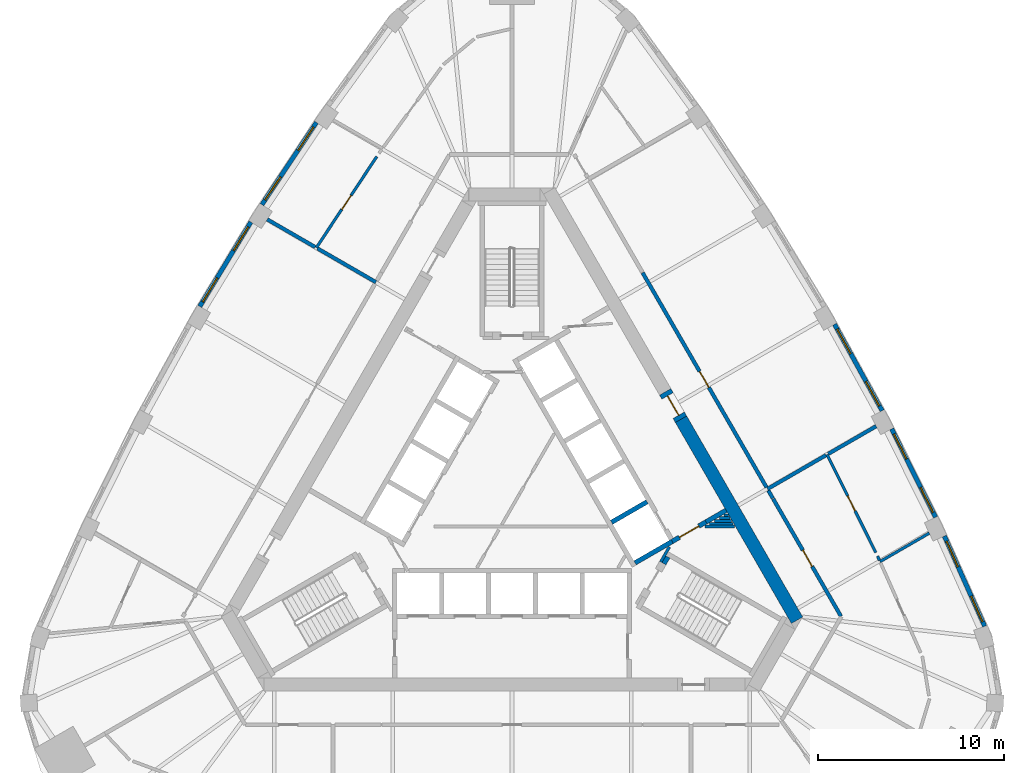
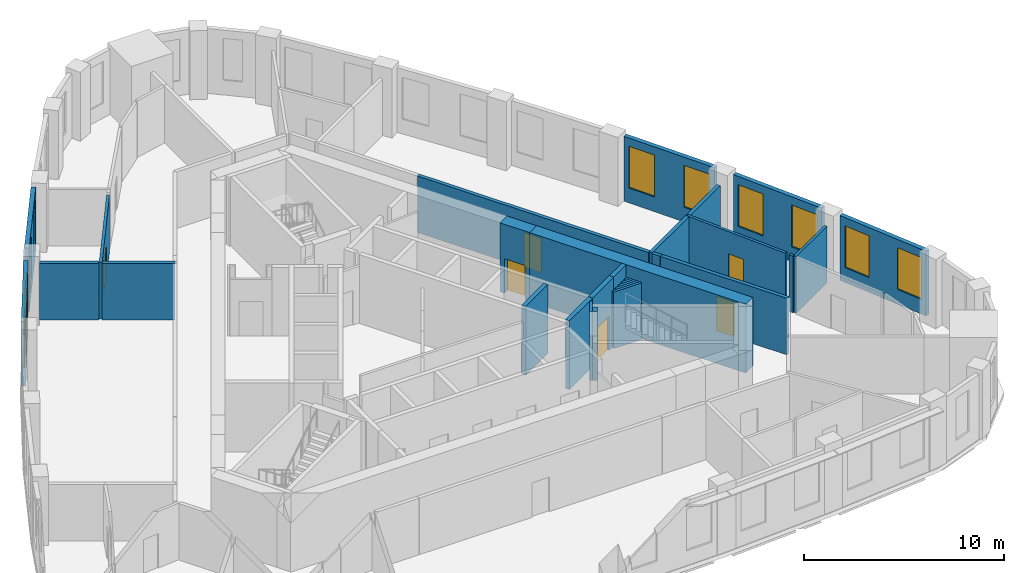
# One storey, part 7 of 10: 29 walls, 10 windows, 6 doors, 16 openings.
"""IFC4 building model written with IfcOpenShell, lengths in metres."""

from ifc_helpers import new_model, si_unit, direction, frame, frame_2d, origin, place, context, subcontext, project, spatial, rectangle, extrude, material, layer, layer_set, type_object, element, fill, save


model = new_model("IFC4")

# Units and contexts
model_context = context("Model", 3, precision=1e-05, world=origin(), true_north=direction((0.0, 1.0)))
body_context = subcontext(model_context, "Body", "Model", "MODEL_VIEW")
ifc_project = project(units=[si_unit("LENGTHUNIT", "METRE"), si_unit("AREAUNIT", "SQUARE_METRE"), si_unit("VOLUMEUNIT", "CUBIC_METRE"), si_unit("PLANEANGLEUNIT", "RADIAN"), si_unit("MASSUNIT", "GRAM", prefix="KILO")], contexts=[model_context])

# Site, building, storey
site_placement = place(None, origin())
site = spatial("IfcSite", under=ifc_project, at=site_placement, CompositionType="ELEMENT")
building_placement = place(site_placement, origin())
building = spatial("IfcBuilding", under=site, at=building_placement, Name="Mestral Congress Tower", CompositionType="ELEMENT")
storey_placement = place(building_placement, frame((0.0, 0.0, 243.60009765625)))
storey = spatial("IfcBuildingStorey", under=building, at=storey_placement, Name="L57", CompositionType="ELEMENT", Elevation=243.60009765625)

# Walls
ifc_material_1 = material(Name="Fire-rated board partition")
ifc_layer_1 = layer(ifc_material_1, 0.14990234375)
ifc_layer_set_1 = layer_set([ifc_layer_1], Name="Fire-rated board partition")
wall_type_1 = type_object("IfcWallType", Name="Core partition 150", PredefinedType="PARTITIONING", material=ifc_layer_set_1)
wall_1_placement = place(storey_placement, frame((10.3623046875, -1.5, 0.0), z_axis=(0.0, 0.0, 1.0), x_axis=(1.0, 0.0, 0.0)))
element("IfcWall", 1, at=wall_1_placement, inside=storey, type_object=wall_type_1, Name="L57 core wall", PredefinedType="PARTITIONING", context=body_context, shape_type="SweptSolid", body=[
    extrude(rectangle(XDim=1.60986328125, YDim=0.14990234375, at=frame_2d((0.804931640625, 0.0))), origin(), (0.0, 0.0, 1.0), 3.449951171875),
])
wall_2_placement = place(storey_placement, frame((10.6220703125, -1.35009765625, 0.0), z_axis=(0.0, 0.0, 1.0), x_axis=(1.0, 0.0, 0.0)))
element("IfcWall", 2, at=wall_2_placement, inside=storey, type_object=wall_type_1, Name="L57 core wall", PredefinedType="PARTITIONING", context=body_context, shape_type="SweptSolid", body=[
    extrude(rectangle(XDim=1.263427734375, YDim=0.14990234375, at=frame_2d((0.6318359375, 0.0))), origin(), (0.0, 0.0, 1.0), 3.449951171875),
])
wall_3_placement = place(storey_placement, frame((10.881591796875, -1.199951171875, 0.0), z_axis=(0.0, 0.0, 1.0), x_axis=(1.0, 0.0, 0.0)))
element("IfcWall", 3, at=wall_3_placement, inside=storey, type_object=wall_type_1, Name="L57 core wall", PredefinedType="PARTITIONING", context=body_context, shape_type="SweptSolid", body=[
    extrude(rectangle(XDim=0.91748046875, YDim=0.14990234375, at=frame_2d((0.458740234375, 0.0))), origin(), (0.0, 0.0, 1.0), 3.449951171875),
])
wall_4_placement = place(storey_placement, frame((11.71240234375, -1.050048828125, 0.0), z_axis=(0.0, 0.0, 1.0), x_axis=(-1.0, 0.0, 0.0)))
element("IfcWall", 4, at=wall_4_placement, inside=storey, type_object=wall_type_1, Name="L57 core wall", PredefinedType="PARTITIONING", context=body_context, shape_type="SweptSolid", body=[
    extrude(rectangle(XDim=0.57080078125, YDim=0.14990234375, at=frame_2d((0.285400390625, 0.0))), origin(), (0.0, 0.0, 1.0), 3.449951171875),
])
wall_5_placement = place(storey_placement, frame((11.4013671875, -0.89990234375, 0.0), z_axis=(0.0, 0.0, 1.0), x_axis=(1.0, 0.0, 0.0)))
element("IfcWall", 5, at=wall_5_placement, inside=storey, type_object=wall_type_1, Name="L57 core wall", PredefinedType="PARTITIONING", context=body_context, shape_type="SweptSolid", body=[
    extrude(rectangle(XDim=0.224365234375, YDim=0.14990234375, at=frame_2d((0.1123046875, 0.0))), origin(), (0.0, 0.0, 1.0), 3.449951171875),
])
ifc_material_2 = material(Name="Concrete C60/75", Category="concrete")
ifc_layer_2 = layer(ifc_material_2, 0.699951171875)
ifc_layer_set_2 = layer_set([ifc_layer_2], Name="Concrete C60/75")
wall_type_2 = type_object("IfcWallType", Name="Core wall RC 700", PredefinedType="SOLIDWALL", material=ifc_layer_set_2)
wall_6_placement = place(storey_placement, frame((9.085205078125, 4.263916015625, 0.0), z_axis=(0.0, 0.0, 1.0), x_axis=(0.499998082512, -0.866026510844, 0.0)))
element("IfcWall", 6, at=wall_6_placement, inside=storey, type_object=wall_type_2, Name="L57 core wall", PredefinedType="SOLIDWALL", context=body_context, shape_type="SweptSolid", body=[
    extrude(rectangle(XDim=12.47216796875, YDim=0.699951171875, at=frame_2d((6.236083984375, 0.0))), origin(), (0.0, 0.0, 1.0), 4.199951171875),
])

# Wall, opening, door
wall_7_placement = place(storey_placement, frame((8.2353515625, 5.736083984375, 0.0), z_axis=(0.0, 0.0, 1.0), x_axis=(0.499954529098, -0.86605165483, 0.0)))
wall_7 = element("IfcWall", 7, at=wall_7_placement, inside=storey, type_object=wall_type_2, Name="L57 door wall", PredefinedType="SOLIDWALL", context=body_context, shape_type="SweptSolid", body=[
    extrude(rectangle(XDim=1.699951171875, YDim=0.699951171875, at=frame_2d((0.85009765625, 0.0))), origin(), (0.0, 0.0, 1.0), 4.199951171875),
])
opening_1_placement = place(wall_7_placement, frame((0.25, 0.0, 0.0)))
opening_1 = element("IfcOpeningElement", 8, at=opening_1_placement, cuts=wall_7, Name="Opening XDL", PredefinedType="OPENING", context=body_context, shape_type="SweptSolid", body=[
    extrude(rectangle(XDim=1.199951171875, YDim=2.10009765625, at=frame_2d((0.60009765625, 1.050048828125))), frame((0.0, 0.35986328125, 0.0), z_axis=(0.0, -1.0, 0.0), x_axis=(1.0, 0.0, 0.0)), (0.0, 0.0, 1.0), 0.719970703125),
])
ifc_material_3 = material(Name="Fire-rated steel door set", Category="steel")
door_type_1 = type_object("IfcDoorType", Name="Core door XD 1200x2100", OperationType="SINGLE_SWING_LEFT", PredefinedType="DOOR", material=ifc_material_3)
door_1_placement = place(opening_1_placement, origin())
door_1 = element("IfcDoor", 9, at=door_1_placement, inside=storey, type_object=door_type_1, Name="Door XDL", OperationType="SINGLE_SWING_LEFT", OverallHeight=2.10009765625, OverallWidth=1.199951171875, PredefinedType="DOOR", context=body_context, shape_type="SweptSolid", body=[
    extrude(rectangle(XDim=1.199951171875, YDim=2.10009765625, at=frame_2d((0.60009765625, 1.050048828125))), frame((0.0, 0.02490234375, 0.0), z_axis=(0.0, -1.0, 0.0), x_axis=(1.0, 0.0, 0.0)), (0.0, 0.0, 1.0), 0.050048828125),
])
fill(opening_1, door_1)

# Wall, openings, windows
ifc_material_4 = material(Name="Precast concrete C40/50 with limestone facing", Category="masonry")
ifc_layer_3 = layer(ifc_material_4, 0.239990234375)
ifc_layer_set_3 = layer_set([ifc_layer_3], Name="Precast concrete C40/50 with limestone facing")
wall_type_3 = type_object("IfcWallType", Name="Facade stone wall 240", PredefinedType="SOLIDWALL", material=ifc_layer_set_3)
wall_8_placement = place(storey_placement, frame((25.405029296875, -6.86083984375, 0.0), z_axis=(0.0, 0.0, 1.0), x_axis=(-0.407579651789, 0.913169659728, 0.0)))
wall_8 = element("IfcWall", 10, at=wall_8_placement, inside=storey, type_object=wall_type_3, Name="Facade wall F1-00", PredefinedType="SOLIDWALL", context=body_context, shape_type="SweptSolid", body=[
    extrude(rectangle(XDim=5.310791015625, YDim=0.239990234375, at=frame_2d((2.6552734375, 0.0))), origin(), (0.0, 0.0, 1.0), 3.949951171875),
])
opening_2_placement = place(wall_8_placement, frame((0.271484375, 0.0, 0.89990234375)))
opening_2 = element("IfcOpeningElement", 11, at=opening_2_placement, cuts=wall_8, Name="Opening W4", PredefinedType="OPENING", context=body_context, shape_type="SweptSolid", body=[
    extrude(rectangle(XDim=1.5, YDim=2.550048828125, at=frame_2d((0.75, 1.27490234375))), frame((0.0, 0.1298828125, 0.0), z_axis=(0.0, -1.0, 0.0), x_axis=(1.0, 0.0, 0.0)), (0.0, 0.0, 1.0), 0.260009765625),
])
opening_3_placement = place(wall_8_placement, frame((3.50439453125, 0.0, 0.89990234375)))
opening_3 = element("IfcOpeningElement", 12, at=opening_3_placement, cuts=wall_8, Name="Opening W4", PredefinedType="OPENING", context=body_context, shape_type="SweptSolid", body=[
    extrude(rectangle(XDim=1.5, YDim=2.550048828125, at=frame_2d((0.75, 1.27490234375))), frame((0.0, 0.1298828125, 0.0), z_axis=(0.0, -1.0, 0.0), x_axis=(1.0, 0.0, 0.0)), (0.0, 0.0, 1.0), 0.260009765625),
])
ifc_material_5 = material(Name="Clear low-emissivity double glazing", Category="glass")
window_type = type_object("IfcWindowType", Name="Facade punched window 1500 x 2550 sill 900", PartitioningType="SINGLE_PANEL", PredefinedType="WINDOW", material=ifc_material_5)
window_1_placement = place(opening_2_placement, origin())
window_1 = element("IfcWindow", 13, at=window_1_placement, inside=storey, type_object=window_type, Name="Window F1-00a", OverallHeight=2.550048828125, OverallWidth=1.5, PartitioningType="SINGLE_PANEL", PredefinedType="WINDOW", context=body_context, shape_type="SweptSolid", body=[
    extrude(rectangle(XDim=1.5, YDim=2.550048828125, at=frame_2d((0.75, 1.27490234375))), frame((0.0, 0.0400390625, 0.0), z_axis=(0.0, -1.0, 0.0), x_axis=(1.0, 0.0, 0.0)), (0.0, 0.0, 1.0), 0.06005859375),
])
fill(opening_2, window_1)
window_2_placement = place(opening_3_placement, origin())
window_2 = element("IfcWindow", 14, at=window_2_placement, inside=storey, type_object=window_type, Name="Window F1-00b", OverallHeight=2.550048828125, OverallWidth=1.5, PartitioningType="SINGLE_PANEL", PredefinedType="WINDOW", context=body_context, shape_type="SweptSolid", body=[
    extrude(rectangle(XDim=1.5, YDim=2.550048828125, at=frame_2d((0.75, 1.27490234375))), frame((0.0, 0.0400390625, 0.0), z_axis=(0.0, -1.0, 0.0), x_axis=(1.0, 0.0, 0.0)), (0.0, 0.0, 1.0), 0.06005859375),
])
fill(opening_3, window_2)

wall_9_placement = place(storey_placement, frame((22.765869140625, -1.0048828125, 0.0), z_axis=(0.0, 0.0, 1.0), x_axis=(-0.445129582031, 0.895466166419, 0.0)))
wall_9 = element("IfcWall", 15, at=wall_9_placement, inside=storey, type_object=wall_type_3, Name="Facade wall F1-01", PredefinedType="SOLIDWALL", context=body_context, shape_type="SweptSolid", body=[
    extrude(rectangle(XDim=5.29833984375, YDim=0.239990234375, at=frame_2d((2.649169921875, 0.0))), origin(), (0.0, 0.0, 1.0), 3.949951171875),
])
opening_4_placement = place(wall_9_placement, frame((0.294677734375, 0.0, 0.89990234375)))
opening_4 = element("IfcOpeningElement", 16, at=opening_4_placement, cuts=wall_9, Name="Opening W4", PredefinedType="OPENING", context=body_context, shape_type="SweptSolid", body=[
    extrude(rectangle(XDim=1.5, YDim=2.550048828125, at=frame_2d((0.75, 1.27490234375))), frame((0.0, 0.1298828125, 0.0), z_axis=(0.0, -1.0, 0.0), x_axis=(1.0, 0.0, 0.0)), (0.0, 0.0, 1.0), 0.260009765625),
])
opening_5_placement = place(wall_9_placement, frame((3.503662109375, 0.0, 0.89990234375)))
opening_5 = element("IfcOpeningElement", 17, at=opening_5_placement, cuts=wall_9, Name="Opening W4", PredefinedType="OPENING", context=body_context, shape_type="SweptSolid", body=[
    extrude(rectangle(XDim=1.5, YDim=2.550048828125, at=frame_2d((0.75, 1.27490234375))), frame((0.0, 0.1298828125, 0.0), z_axis=(0.0, -1.0, 0.0), x_axis=(1.0, 0.0, 0.0)), (0.0, 0.0, 1.0), 0.260009765625),
])
window_3_placement = place(opening_4_placement, origin())
window_3 = element("IfcWindow", 18, at=window_3_placement, inside=storey, type_object=window_type, Name="Window F1-01a", OverallHeight=2.550048828125, OverallWidth=1.5, PartitioningType="SINGLE_PANEL", PredefinedType="WINDOW", context=body_context, shape_type="SweptSolid", body=[
    extrude(rectangle(XDim=1.5, YDim=2.550048828125, at=frame_2d((0.75, 1.27490234375))), frame((0.0, 0.0400390625, 0.0), z_axis=(0.0, -1.0, 0.0), x_axis=(1.0, 0.0, 0.0)), (0.0, 0.0, 1.0), 0.06005859375),
])
fill(opening_4, window_3)
window_4_placement = place(opening_5_placement, origin())
window_4 = element("IfcWindow", 19, at=window_4_placement, inside=storey, type_object=window_type, Name="Window F1-01b", OverallHeight=2.550048828125, OverallWidth=1.5, PartitioningType="SINGLE_PANEL", PredefinedType="WINDOW", context=body_context, shape_type="SweptSolid", body=[
    extrude(rectangle(XDim=1.5, YDim=2.550048828125, at=frame_2d((0.75, 1.27490234375))), frame((0.0, 0.0400390625, 0.0), z_axis=(0.0, -1.0, 0.0), x_axis=(1.0, 0.0, 0.0)), (0.0, 0.0, 1.0), 0.06005859375),
])
fill(opening_5, window_4)

wall_10_placement = place(storey_placement, frame((19.8916015625, 4.725341796875, 0.0), z_axis=(0.0, 0.0, 1.0), x_axis=(-0.481925825015, 0.876212017256, 0.0)))
wall_10 = element("IfcWall", 20, at=wall_10_placement, inside=storey, type_object=wall_type_3, Name="Facade wall F1-02", PredefinedType="SOLIDWALL", context=body_context, shape_type="SweptSolid", body=[
    extrude(rectangle(XDim=5.298583984375, YDim=0.239990234375, at=frame_2d((2.6494140625, 0.0))), origin(), (0.0, 0.0, 1.0), 3.949951171875),
])
opening_6_placement = place(wall_10_placement, frame((0.294677734375, 0.0, 0.89990234375)))
opening_6 = element("IfcOpeningElement", 21, at=opening_6_placement, cuts=wall_10, Name="Opening W4", PredefinedType="OPENING", context=body_context, shape_type="SweptSolid", body=[
    extrude(rectangle(XDim=1.5, YDim=2.550048828125, at=frame_2d((0.75, 1.27490234375))), frame((0.0, 0.1298828125, 0.0), z_axis=(0.0, -1.0, 0.0), x_axis=(1.0, 0.0, 0.0)), (0.0, 0.0, 1.0), 0.260009765625),
])
opening_7_placement = place(wall_10_placement, frame((3.503662109375, 0.0, 0.89990234375)))
opening_7 = element("IfcOpeningElement", 22, at=opening_7_placement, cuts=wall_10, Name="Opening W4", PredefinedType="OPENING", context=body_context, shape_type="SweptSolid", body=[
    extrude(rectangle(XDim=1.5, YDim=2.550048828125, at=frame_2d((0.75, 1.27490234375))), frame((0.0, 0.1298828125, 0.0), z_axis=(0.0, -1.0, 0.0), x_axis=(1.0, 0.0, 0.0)), (0.0, 0.0, 1.0), 0.260009765625),
])
window_5_placement = place(opening_6_placement, origin())
window_5 = element("IfcWindow", 23, at=window_5_placement, inside=storey, type_object=window_type, Name="Window F1-02a", OverallHeight=2.550048828125, OverallWidth=1.5, PartitioningType="SINGLE_PANEL", PredefinedType="WINDOW", context=body_context, shape_type="SweptSolid", body=[
    extrude(rectangle(XDim=1.5, YDim=2.550048828125, at=frame_2d((0.75, 1.27490234375))), frame((0.0, 0.0400390625, 0.0), z_axis=(0.0, -1.0, 0.0), x_axis=(1.0, 0.0, 0.0)), (0.0, 0.0, 1.0), 0.06005859375),
])
fill(opening_6, window_5)
window_6_placement = place(opening_7_placement, origin())
window_6 = element("IfcWindow", 24, at=window_6_placement, inside=storey, type_object=window_type, Name="Window F1-02b", OverallHeight=2.550048828125, OverallWidth=1.5, PartitioningType="SINGLE_PANEL", PredefinedType="WINDOW", context=body_context, shape_type="SweptSolid", body=[
    extrude(rectangle(XDim=1.5, YDim=2.550048828125, at=frame_2d((0.75, 1.27490234375))), frame((0.0, 0.0400390625, 0.0), z_axis=(0.0, -1.0, 0.0), x_axis=(1.0, 0.0, 0.0)), (0.0, 0.0, 1.0), 0.06005859375),
])
fill(opening_7, window_6)

wall_11_placement = place(storey_placement, frame((-10.5126953125, 20.21826171875, 0.0), z_axis=(0.0, 0.0, 1.0), x_axis=(-0.552901821755, -0.833246407433, 0.0)))
wall_11 = element("IfcWall", 25, at=wall_11_placement, inside=storey, type_object=wall_type_3, Name="Facade wall F2-01", PredefinedType="SOLIDWALL", context=body_context, shape_type="SweptSolid", body=[
    extrude(rectangle(XDim=5.29833984375, YDim=0.239990234375, at=frame_2d((2.649169921875, 0.0))), origin(), (0.0, 0.0, 1.0), 3.949951171875),
])
opening_8_placement = place(wall_11_placement, frame((0.29443359375, 0.0, 0.89990234375)))
opening_8 = element("IfcOpeningElement", 26, at=opening_8_placement, cuts=wall_11, Name="Opening W4", PredefinedType="OPENING", context=body_context, shape_type="SweptSolid", body=[
    extrude(rectangle(XDim=1.5, YDim=2.550048828125, at=frame_2d((0.75, 1.27490234375))), frame((0.0, 0.1298828125, 0.0), z_axis=(0.0, -1.0, 0.0), x_axis=(1.0, 0.0, 0.0)), (0.0, 0.0, 1.0), 0.260009765625),
])
opening_9_placement = place(wall_11_placement, frame((3.503662109375, 0.0, 0.89990234375)))
opening_9 = element("IfcOpeningElement", 27, at=opening_9_placement, cuts=wall_11, Name="Opening W4", PredefinedType="OPENING", context=body_context, shape_type="SweptSolid", body=[
    extrude(rectangle(XDim=1.5, YDim=2.550048828125, at=frame_2d((0.75, 1.27490234375))), frame((0.0, 0.1298828125, 0.0), z_axis=(0.0, -1.0, 0.0), x_axis=(1.0, 0.0, 0.0)), (0.0, 0.0, 1.0), 0.260009765625),
])
window_7_placement = place(opening_8_placement, origin())
window_7 = element("IfcWindow", 28, at=window_7_placement, inside=storey, type_object=window_type, Name="Window F2-01a", OverallHeight=2.550048828125, OverallWidth=1.5, PartitioningType="SINGLE_PANEL", PredefinedType="WINDOW", context=body_context, shape_type="SweptSolid", body=[
    extrude(rectangle(XDim=1.5, YDim=2.550048828125, at=frame_2d((0.75, 1.27490234375))), frame((0.0, 0.0400390625, 0.0), z_axis=(0.0, -1.0, 0.0), x_axis=(1.0, 0.0, 0.0)), (0.0, 0.0, 1.0), 0.06005859375),
])
fill(opening_8, window_7)
window_8_placement = place(opening_9_placement, origin())
window_8 = element("IfcWindow", 29, at=window_8_placement, inside=storey, type_object=window_type, Name="Window F2-01b", OverallHeight=2.550048828125, OverallWidth=1.5, PartitioningType="SINGLE_PANEL", PredefinedType="WINDOW", context=body_context, shape_type="SweptSolid", body=[
    extrude(rectangle(XDim=1.5, YDim=2.550048828125, at=frame_2d((0.75, 1.27490234375))), frame((0.0, 0.0400390625, 0.0), z_axis=(0.0, -1.0, 0.0), x_axis=(1.0, 0.0, 0.0)), (0.0, 0.0, 1.0), 0.06005859375),
])
fill(opening_9, window_8)

wall_12_placement = place(storey_placement, frame((-14.0380859375, 14.86376953125, 0.0), z_axis=(0.0, 0.0, 1.0), x_axis=(-0.517846166225, -0.855473756538, 0.0)))
wall_12 = element("IfcWall", 30, at=wall_12_placement, inside=storey, type_object=wall_type_3, Name="Facade wall F2-02", PredefinedType="SOLIDWALL", context=body_context, shape_type="SweptSolid", body=[
    extrude(rectangle(XDim=5.298095703125, YDim=0.239990234375, at=frame_2d((2.64892578125, 0.0))), origin(), (0.0, 0.0, 1.0), 3.949951171875),
])
opening_10_placement = place(wall_12_placement, frame((0.29443359375, 0.0, 0.89990234375)))
opening_10 = element("IfcOpeningElement", 31, at=opening_10_placement, cuts=wall_12, Name="Opening W4", PredefinedType="OPENING", context=body_context, shape_type="SweptSolid", body=[
    extrude(rectangle(XDim=1.5, YDim=2.550048828125, at=frame_2d((0.75, 1.27490234375))), frame((0.0, 0.1298828125, 0.0), z_axis=(0.0, -1.0, 0.0), x_axis=(1.0, 0.0, 0.0)), (0.0, 0.0, 1.0), 0.260009765625),
])
opening_11_placement = place(wall_12_placement, frame((3.503662109375, 0.0, 0.89990234375)))
opening_11 = element("IfcOpeningElement", 32, at=opening_11_placement, cuts=wall_12, Name="Opening W4", PredefinedType="OPENING", context=body_context, shape_type="SweptSolid", body=[
    extrude(rectangle(XDim=1.5, YDim=2.550048828125, at=frame_2d((0.75, 1.27490234375))), frame((0.0, 0.1298828125, 0.0), z_axis=(0.0, -1.0, 0.0), x_axis=(1.0, 0.0, 0.0)), (0.0, 0.0, 1.0), 0.260009765625),
])
window_9_placement = place(opening_10_placement, origin())
window_9 = element("IfcWindow", 33, at=window_9_placement, inside=storey, type_object=window_type, Name="Window F2-02a", OverallHeight=2.550048828125, OverallWidth=1.5, PartitioningType="SINGLE_PANEL", PredefinedType="WINDOW", context=body_context, shape_type="SweptSolid", body=[
    extrude(rectangle(XDim=1.5, YDim=2.550048828125, at=frame_2d((0.75, 1.27490234375))), frame((0.0, 0.0400390625, 0.0), z_axis=(0.0, -1.0, 0.0), x_axis=(1.0, 0.0, 0.0)), (0.0, 0.0, 1.0), 0.06005859375),
])
fill(opening_10, window_9)
window_10_placement = place(opening_11_placement, origin())
window_10 = element("IfcWindow", 34, at=window_10_placement, inside=storey, type_object=window_type, Name="Window F2-02b", OverallHeight=2.550048828125, OverallWidth=1.5, PartitioningType="SINGLE_PANEL", PredefinedType="WINDOW", context=body_context, shape_type="SweptSolid", body=[
    extrude(rectangle(XDim=1.5, YDim=2.550048828125, at=frame_2d((0.75, 1.27490234375))), frame((0.0, 0.0400390625, 0.0), z_axis=(0.0, -1.0, 0.0), x_axis=(1.0, 0.0, 0.0)), (0.0, 0.0, 1.0), 0.06005859375),
])
fill(opening_11, window_10)

# Walls
ifc_material_6 = material(Name="Plasterboard partition on steel studs", Category="steel")
ifc_layer_4 = layer(ifc_material_6, 0.14990234375)
ifc_layer_set_4 = layer_set([ifc_layer_4], Name="Plasterboard partition on steel studs")
wall_type_4 = type_object("IfcWallType", Name="Office partition 150", PredefinedType="PARTITIONING", material=ifc_layer_set_4)
wall_13_placement = place(storey_placement, frame((19.7802734375, -3.385986328125, 0.0), z_axis=(0.0, 0.0, 1.0), x_axis=(0.866063280451, 0.49993438995, 0.0)))
element("IfcWall", 35, at=wall_13_placement, inside=storey, type_object=wall_type_4, Name="Partition", PredefinedType="PARTITIONING", context=body_context, shape_type="SweptSolid", body=[
    extrude(rectangle(XDim=3.05810546875, YDim=0.14990234375, at=frame_2d((1.529052734375, 0.0))), origin(), (0.0, 0.0, 1.0), 3.449951171875),
])
wall_14_placement = place(storey_placement, frame((19.74951171875, -3.3173828125, 0.0), z_axis=(0.0, 0.0, 1.0), x_axis=(-0.406774979688, 0.913528388119, 0.0)))
element("IfcWall", 36, at=wall_14_placement, inside=storey, type_object=wall_type_4, Name="Partition", PredefinedType="PARTITIONING", context=body_context, shape_type="SweptSolid", body=[
    extrude(rectangle(XDim=0.2490234375, YDim=0.14990234375, at=frame_2d((0.12451171875, 0.0))), origin(), (0.0, 0.0, 1.0), 3.449951171875),
])

# Wall, opening, door
wall_15_placement = place(storey_placement, frame((16.934814453125, 2.367919921875, 0.0), z_axis=(0.0, 0.0, 1.0), x_axis=(0.445153322039, -0.895454365045, 0.0)))
wall_15 = element("IfcWall", 37, at=wall_15_placement, inside=storey, type_object=wall_type_4, Name="Partition", PredefinedType="PARTITIONING", context=body_context, shape_type="SweptSolid", body=[
    extrude(rectangle(XDim=5.880859375, YDim=0.14990234375, at=frame_2d((2.9404296875, 0.0))), origin(), (0.0, 0.0, 1.0), 3.449951171875),
])
opening_12_placement = place(wall_15_placement, frame((2.480712890625, 0.0, 0.0)))
opening_12 = element("IfcOpeningElement", 38, at=opening_12_placement, cuts=wall_15, Name="Opening O09-006", PredefinedType="OPENING", context=body_context, shape_type="SweptSolid", body=[
    extrude(rectangle(XDim=0.89990234375, YDim=2.10009765625, at=frame_2d((0.449951171875, 1.050048828125))), frame((0.0, 0.0849609375, 0.0), z_axis=(0.0, -1.0, 0.0), x_axis=(1.0, 0.0, 0.0)), (0.0, 0.0, 1.0), 0.169921875),
])
ifc_material_7 = material(Name="Timber door set", Category="wood")
door_type_2 = type_object("IfcDoorType", Name="Office door 900x2100", OperationType="SINGLE_SWING_LEFT", PredefinedType="DOOR", material=ifc_material_7)
door_2_placement = place(opening_12_placement, origin())
door_2 = element("IfcDoor", 39, at=door_2_placement, inside=storey, type_object=door_type_2, Name="Door O09-006", OperationType="SINGLE_SWING_LEFT", OverallHeight=2.10009765625, OverallWidth=0.89990234375, PredefinedType="DOOR", context=body_context, shape_type="SweptSolid", body=[
    extrude(rectangle(XDim=0.89990234375, YDim=2.10009765625, at=frame_2d((0.449951171875, 1.050048828125))), frame((0.0, 0.02490234375, 0.0), z_axis=(0.0, -1.0, 0.0), x_axis=(1.0, 0.0, 0.0)), (0.0, 0.0, 1.0), 0.050048828125),
])
fill(opening_12, door_2)

wall_16_placement = place(storey_placement, frame((-10.51806640625, 13.482177734375, 0.0), z_axis=(0.0, 0.0, 1.0), x_axis=(0.552916907591, 0.833236397008, 0.0)))
wall_16 = element("IfcWall", 40, at=wall_16_placement, inside=storey, type_object=wall_type_4, Name="Partition", PredefinedType="PARTITIONING", context=body_context, shape_type="SweptSolid", body=[
    extrude(rectangle(XDim=5.880615234375, YDim=0.14990234375, at=frame_2d((2.9404296875, 0.0))), origin(), (0.0, 0.0, 1.0), 3.449951171875),
])
opening_13_placement = place(wall_16_placement, frame((2.480712890625, 0.0, 0.0)))
opening_13 = element("IfcOpeningElement", 41, at=opening_13_placement, cuts=wall_16, Name="Opening O09-013", PredefinedType="OPENING", context=body_context, shape_type="SweptSolid", body=[
    extrude(rectangle(XDim=0.89990234375, YDim=2.10009765625, at=frame_2d((0.449951171875, 1.050048828125))), frame((0.0, 0.0849609375, 0.0), z_axis=(0.0, -1.0, 0.0), x_axis=(1.0, 0.0, 0.0)), (0.0, 0.0, 1.0), 0.169921875),
])
door_3_placement = place(opening_13_placement, origin())
door_3 = element("IfcDoor", 42, at=door_3_placement, inside=storey, type_object=door_type_2, Name="Door O09-013", OperationType="SINGLE_SWING_LEFT", OverallHeight=2.10009765625, OverallWidth=0.89990234375, PredefinedType="DOOR", context=body_context, shape_type="SweptSolid", body=[
    extrude(rectangle(XDim=0.89990234375, YDim=2.10009765625, at=frame_2d((0.449951171875, 1.050048828125))), frame((0.0, 0.02490234375, 0.0), z_axis=(0.0, -1.0, 0.0), x_axis=(1.0, 0.0, 0.0)), (0.0, 0.0, 1.0), 0.050048828125),
])
fill(opening_13, door_3)

# Walls
ifc_material_8 = material(Name="Dense masonry wall, plastered", Category="masonry")
ifc_layer_5 = layer(ifc_material_8, 0.199951171875)
ifc_layer_set_5 = layer_set([ifc_layer_5], Name="Dense masonry wall, plastered")
wall_type_5 = type_object("IfcWallType", Name="Office tenancy wall 200", PredefinedType="PARTITIONING", material=ifc_layer_set_5)
wall_17_placement = place(storey_placement, frame((17.0, 2.405517578125, 0.0), z_axis=(0.0, 0.0, 1.0), x_axis=(0.86605561342, 0.499947671726, 0.0)))
element("IfcWall", 43, at=wall_17_placement, inside=storey, type_object=wall_type_5, Name="Tenancy wall", PredefinedType="PARTITIONING", context=body_context, shape_type="SweptSolid", body=[
    extrude(rectangle(XDim=2.971435546875, YDim=0.199951171875, at=frame_2d((1.48583984375, 0.0))), origin(), (0.0, 0.0, 1.0), 3.449951171875),
])
wall_18_placement = place(storey_placement, frame((13.730712890625, 0.517822265625, 0.0), z_axis=(0.0, 0.0, 1.0), x_axis=(0.8660128559, 0.500021732944, 0.0)))
element("IfcWall", 44, at=wall_18_placement, inside=storey, type_object=wall_type_5, Name="Tenancy wall", PredefinedType="PARTITIONING", context=body_context, shape_type="SweptSolid", body=[
    extrude(rectangle(XDim=3.624755859375, YDim=0.199951171875, at=frame_2d((1.8125, 0.0))), origin(), (0.0, 0.0, 1.0), 3.449951171875),
])
wall_19_placement = place(storey_placement, frame((14.022216796875, 0.0126953125, 0.0), z_axis=(0.0, 0.0, 1.0), x_axis=(-0.500159754115, 0.865933150054, 0.0)))
element("IfcWall", 45, at=wall_19_placement, inside=storey, type_object=wall_type_5, Name="Tenancy wall", PredefinedType="PARTITIONING", context=body_context, shape_type="SweptSolid", body=[
    extrude(rectangle(XDim=0.483154296875, YDim=0.199951171875, at=frame_2d((0.24169921875, 0.0))), origin(), (0.0, 0.0, 1.0), 3.449951171875),
])

# Wall, opening, door
wall_20_placement = place(storey_placement, frame((17.680908203125, -6.323974609375, 0.0), z_axis=(0.0, 0.0, 1.0), x_axis=(-0.50002695829, 0.866009838849, 0.0)))
wall_20 = element("IfcWall", 46, at=wall_20_placement, inside=storey, type_object=wall_type_5, Name="Tenancy wall", PredefinedType="PARTITIONING", context=body_context, shape_type="SweptSolid", body=[
    extrude(rectangle(XDim=7.287109375, YDim=0.199951171875, at=frame_2d((3.6435546875, 0.0))), origin(), (0.0, 0.0, 1.0), 3.449951171875),
])
opening_14_placement = place(wall_20_placement, frame((3.10009765625, 0.0, 0.0)))
opening_14 = element("IfcOpeningElement", 47, at=opening_14_placement, cuts=wall_20, Name="Opening O09-007", PredefinedType="OPENING", context=body_context, shape_type="SweptSolid", body=[
    extrude(rectangle(XDim=1.0, YDim=2.10009765625, at=frame_2d((0.5, 1.050048828125))), frame((0.0, 0.10986328125, 0.0), z_axis=(0.0, -1.0, 0.0), x_axis=(1.0, 0.0, 0.0)), (0.0, 0.0, 1.0), 0.219970703125),
])
ifc_material_9 = material(Name="Fire-rated timber door set", Category="wood")
door_type_3 = type_object("IfcDoorType", Name="Office tenancy entrance door 1000x2100", OperationType="SINGLE_SWING_LEFT", PredefinedType="DOOR", material=ifc_material_9)
door_4_placement = place(opening_14_placement, origin())
door_4 = element("IfcDoor", 48, at=door_4_placement, inside=storey, type_object=door_type_3, Name="Door O09-007", OperationType="SINGLE_SWING_LEFT", OverallHeight=2.10009765625, OverallWidth=1.0, PredefinedType="DOOR", context=body_context, shape_type="SweptSolid", body=[
    extrude(rectangle(XDim=1.0, YDim=2.10009765625, at=frame_2d((0.5, 1.050048828125))), frame((0.0, 0.02490234375, 0.0), z_axis=(0.0, -1.0, 0.0), x_axis=(1.0, 0.0, 0.0)), (0.0, 0.0, 1.0), 0.050048828125),
])
fill(opening_14, door_4)

wall_21_placement = place(storey_placement, frame((13.6806640625, 0.6044921875, 0.0), z_axis=(0.0, 0.0, 1.0), x_axis=(-0.500001759768, 0.86602438778, 0.0)))
wall_21 = element("IfcWall", 49, at=wall_21_placement, inside=storey, type_object=wall_type_5, Name="Tenancy wall", PredefinedType="PARTITIONING", context=body_context, shape_type="SweptSolid", body=[
    extrude(rectangle(XDim=13.31689453125, YDim=0.199951171875, at=frame_2d((6.658447265625, 0.0))), origin(), (0.0, 0.0, 1.0), 3.449951171875),
])
opening_15_placement = place(wall_21_placement, frame((6.199951171875, 0.0, 0.0)))
opening_15 = element("IfcOpeningElement", 50, at=opening_15_placement, cuts=wall_21, Name="Opening O09-008", PredefinedType="OPENING", context=body_context, shape_type="SweptSolid", body=[
    extrude(rectangle(XDim=1.0, YDim=2.10009765625, at=frame_2d((0.5, 1.050048828125))), frame((0.0, 0.10986328125, 0.0), z_axis=(0.0, -1.0, 0.0), x_axis=(1.0, 0.0, 0.0)), (0.0, 0.0, 1.0), 0.219970703125),
])
door_5_placement = place(opening_15_placement, origin())
door_5 = element("IfcDoor", 51, at=door_5_placement, inside=storey, type_object=door_type_3, Name="Door O09-008", OperationType="SINGLE_SWING_RIGHT", OverallHeight=2.10009765625, OverallWidth=1.0, PredefinedType="DOOR", context=body_context, shape_type="SweptSolid", body=[
    extrude(rectangle(XDim=1.0, YDim=2.10009765625, at=frame_2d((0.5, 1.050048828125))), frame((0.0, 0.02490234375, 0.0), z_axis=(0.0, -1.0, 0.0), x_axis=(1.0, 0.0, 0.0)), (0.0, 0.0, 1.0), 0.050048828125),
])
fill(opening_15, door_5)

# Walls
wall_22_placement = place(storey_placement, frame((-10.583251953125, 13.519775390625, 0.0), z_axis=(0.0, 0.0, 1.0), x_axis=(-0.865999496279, 0.500044870432, 0.0)))
element("IfcWall", 52, at=wall_22_placement, inside=storey, type_object=wall_type_5, Name="Tenancy wall", PredefinedType="PARTITIONING", context=body_context, shape_type="SweptSolid", body=[
    extrude(rectangle(XDim=2.971435546875, YDim=0.199951171875, at=frame_2d((1.48583984375, 0.0))), origin(), (0.0, 0.0, 1.0), 3.449951171875),
])
wall_23_placement = place(storey_placement, frame((-7.313720703125, 11.632080078125, 0.0), z_axis=(0.0, 0.0, 1.0), x_axis=(-0.8660128559, 0.500021732944, 0.0)))
element("IfcWall", 53, at=wall_23_placement, inside=storey, type_object=wall_type_5, Name="Tenancy wall", PredefinedType="PARTITIONING", context=body_context, shape_type="SweptSolid", body=[
    extrude(rectangle(XDim=3.624755859375, YDim=0.199951171875, at=frame_2d((1.8125, 0.0))), origin(), (0.0, 0.0, 1.0), 3.449951171875),
])
ifc_layer_6 = layer(ifc_material_2, 0.25)
ifc_layer_set_6 = layer_set([ifc_layer_6], Name="Concrete C60/75")
wall_type_6 = type_object("IfcWallType", Name="Shaft wall RC 250", PredefinedType="SOLIDWALL", material=ifc_layer_set_6)
wall_24_placement = place(storey_placement, frame((11.507080078125, -0.631103515625, 0.0), z_axis=(0.0, 0.0, 1.0), x_axis=(-0.866025525965, -0.499999788377, 0.0)))
element("IfcWall", 54, at=wall_24_placement, inside=storey, type_object=wall_type_6, Name="L57 core wall", PredefinedType="SOLIDWALL", context=body_context, shape_type="SweptSolid", body=[
    extrude(rectangle(XDim=1.24462890625, YDim=0.25, at=frame_2d((0.622314453125, 0.0))), origin(), (0.0, 0.0, 1.0), 4.199951171875),
])
wall_25_placement = place(storey_placement, frame((5.35400390625, -1.273681640625, 0.0), z_axis=(0.0, 0.0, 1.0), x_axis=(0.866008176907, 0.50002983664, 0.0)))
element("IfcWall", 55, at=wall_25_placement, inside=storey, type_object=wall_type_6, Name="L57 core wall", PredefinedType="SOLIDWALL", context=body_context, shape_type="SweptSolid", body=[
    extrude(rectangle(XDim=2.199951171875, YDim=0.25, at=frame_2d((1.10009765625, 0.0))), origin(), (0.0, 0.0, 1.0), 4.199951171875),
])
wall_26_placement = place(storey_placement, frame((6.614013671875, -3.4560546875, 0.0), z_axis=(0.0, 0.0, 1.0), x_axis=(0.866025089694, 0.500000544019, 0.0)))
element("IfcWall", 56, at=wall_26_placement, inside=storey, type_object=wall_type_6, Name="L57 core wall", PredefinedType="SOLIDWALL", context=body_context, shape_type="SweptSolid", body=[
    extrude(rectangle(XDim=2.30517578125, YDim=0.25, at=frame_2d((1.152587890625, 0.0))), origin(), (0.0, 0.0, 1.0), 4.199951171875),
])

# Wall, opening, door
wall_27_placement = place(storey_placement, frame((10.42919921875, -1.25341796875, 0.0), z_axis=(0.0, 0.0, 1.0), x_axis=(-0.866009402589, -0.500027713859, 0.0)))
wall_27 = element("IfcWall", 57, at=wall_27_placement, inside=storey, type_object=wall_type_6, Name="L57 door wall", PredefinedType="SOLIDWALL", context=body_context, shape_type="SweptSolid", body=[
    extrude(rectangle(XDim=2.10009765625, YDim=0.25, at=frame_2d((1.050048828125, 0.0))), origin(), (0.0, 0.0, 1.0), 4.199951171875),
])
opening_16_placement = place(wall_27_placement, frame((0.449951171875, 0.0, 0.0)))
opening_16 = element("IfcOpeningElement", 58, at=opening_16_placement, cuts=wall_27, Name="Opening LB1-PX10", PredefinedType="OPENING", context=body_context, shape_type="SweptSolid", body=[
    extrude(rectangle(XDim=1.199951171875, YDim=2.10009765625, at=frame_2d((0.60009765625, 1.050048828125))), frame((0.0, 0.135009765625, 0.0), z_axis=(0.0, -1.0, 0.0), x_axis=(1.0, 0.0, 0.0)), (0.0, 0.0, 1.0), 0.27001953125),
])
door_type_4 = type_object("IfcDoorType", Name="Core door LB 1200x2100", OperationType="SINGLE_SWING_LEFT", PredefinedType="DOOR", material=ifc_material_3)
door_6_placement = place(opening_16_placement, origin())
door_6 = element("IfcDoor", 59, at=door_6_placement, inside=storey, type_object=door_type_4, Name="Door LB1-PX10", OperationType="SINGLE_SWING_LEFT", OverallHeight=2.10009765625, OverallWidth=1.199951171875, PredefinedType="DOOR", context=body_context, shape_type="SweptSolid", body=[
    extrude(rectangle(XDim=1.199951171875, YDim=2.10009765625, at=frame_2d((0.60009765625, 1.050048828125))), frame((0.0, 0.02490234375, 0.0), z_axis=(0.0, -1.0, 0.0), x_axis=(1.0, 0.0, 0.0)), (0.0, 0.0, 1.0), 0.050048828125),
])
fill(opening_16, door_6)

# Walls
ifc_layer_7 = layer(ifc_material_2, 0.14990234375)
ifc_layer_set_7 = layer_set([ifc_layer_7], Name="Concrete C60/75")
wall_type_7 = type_object("IfcWallType", Name="Shaft wall RC 250 door-wall 150", PredefinedType="SOLIDWALL", material=ifc_layer_set_7)
wall_28_placement = place(storey_placement, frame((8.459228515625, -2.59912109375, 0.0), z_axis=(0.0, 0.0, 1.0), x_axis=(-0.500041054325, -0.866001699761, 0.0)))
element("IfcWall", 60, at=wall_28_placement, inside=storey, type_object=wall_type_7, Name="L57 core wall", PredefinedType="PARTITIONING", context=body_context, shape_type="SweptSolid", body=[
    extrude(rectangle(XDim=0.9287109375, YDim=0.14990234375, at=frame_2d((0.46435546875, 0.0))), origin(), (0.0, 0.0, 1.0), 4.199951171875),
])
ifc_layer_8 = layer(ifc_material_2, 0.25)
ifc_layer_set_8 = layer_set([ifc_layer_8], Name="Concrete C60/75")
wall_type_8 = type_object("IfcWallType", Name="Stair wall RC 250", PredefinedType="SOLIDWALL", material=ifc_layer_set_8)
wall_29_placement = place(storey_placement, frame((8.167724609375, -3.503173828125, 0.0), z_axis=(0.0, 0.0, 1.0), x_axis=(0.49972245349, 0.866185586049, 0.0)))
element("IfcWall", 61, at=wall_29_placement, inside=storey, type_object=wall_type_8, Name="L57 core wall", PredefinedType="SOLIDWALL", context=body_context, shape_type="SweptSolid", body=[
    extrude(rectangle(XDim=0.425048828125, YDim=0.25, at=frame_2d((0.21240234375, 0.0))), origin(), (0.0, 0.0, 1.0), 4.199951171875),
])

save(model, "model.ifc")
